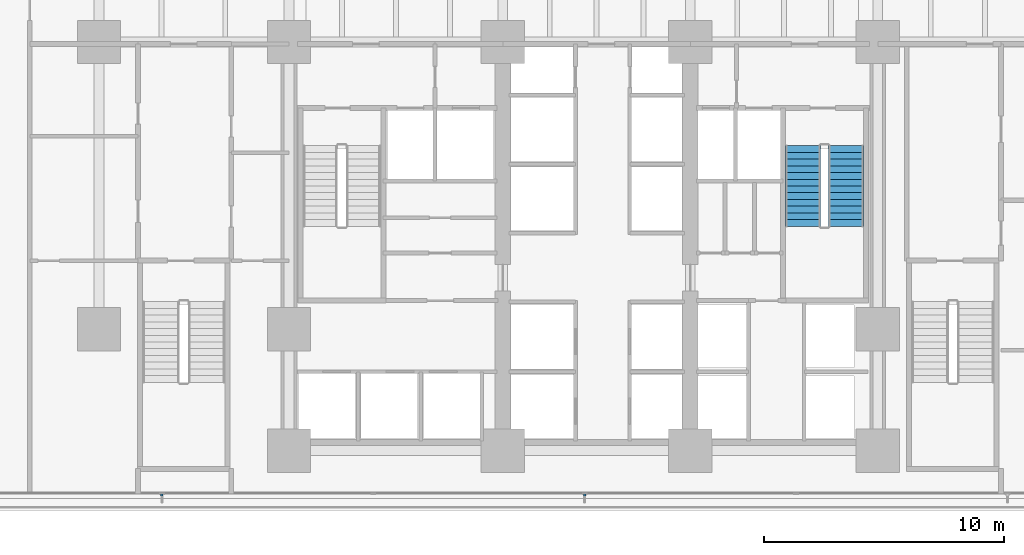
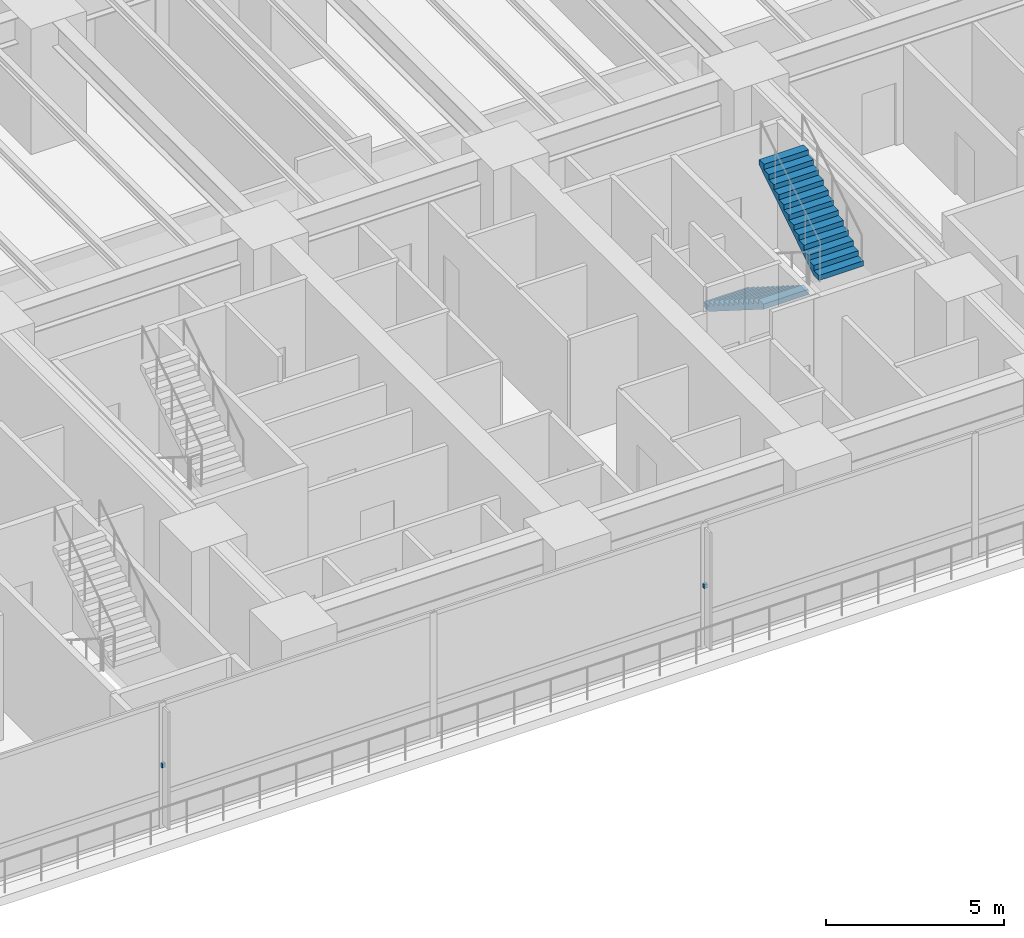
# One storey, part 14 of 26: 2 discrete accessories, 2 stair flights, 1 element without a shape of its own.
"""IFC4 building model written with IfcOpenShell, lengths in metres."""

from ifc_helpers import new_model, si_unit, direction, frame, origin, place, context, subcontext, project, spatial, polyline, outline, extrude, material, layer, layer_set, type_object, element, aggregate, save


model = new_model("IFC4")

# Units and contexts
model_context = context("Model", 3, precision=1e-05, world=origin(), true_north=direction((0.0, 1.0)))
body_context = subcontext(model_context, "Body", "Model", "MODEL_VIEW")
ifc_project = project(units=[si_unit("LENGTHUNIT", "METRE"), si_unit("AREAUNIT", "SQUARE_METRE"), si_unit("VOLUMEUNIT", "CUBIC_METRE"), si_unit("PLANEANGLEUNIT", "RADIAN"), si_unit("MASSUNIT", "GRAM", prefix="KILO")], contexts=[model_context])

# Site, building, storey
site_placement = place(None, origin())
site = spatial("IfcSite", under=ifc_project, at=site_placement, CompositionType="ELEMENT")
building_placement = place(site_placement, origin())
building = spatial("IfcBuilding", under=site, at=building_placement, Name="Qalmaran Belvedere Hotel", CompositionType="ELEMENT")
storey_placement = place(building_placement, frame((0.0, 0.0, 19.199951171875)))
storey = spatial("IfcBuildingStorey", under=building, at=storey_placement, Name="L04", CompositionType="ELEMENT", Elevation=19.199951171875)

# Stair, stair flights
ifc_material_1 = material(Name="Concrete C40/50", Category="concrete")
stair_type = type_object("IfcStairType", Name="STR-ST-2-1450-R1769", PredefinedType="HALF_TURN_STAIR", material=ifc_material_1)
stair_placement = place(storey_placement, origin())
stair = element("IfcStair", 1, at=stair_placement, inside=storey, type_object=stair_type, Name="L04 East Core Exit Stair ST-2", PredefinedType="HALF_TURN_STAIR")
ifc_layer = layer(ifc_material_1, 0.14990234375, Name="Concrete C40/50")
ifc_layer_set = layer_set([ifc_layer], Name="Concrete C40/50")
stair_flight_type = type_object("IfcStairFlightType", Name="STF-ST-2-1450-R1769", PredefinedType="STRAIGHT", material=ifc_layer_set)
stair_flight_1_placement = place(storey_placement, frame((41.68505859375, 16.18994140625, 0.0), z_axis=(0.0, 0.0, 1.0), x_axis=(0.0, -1.0, 0.0)))
stair_flight_1 = element("IfcStairFlight", 2, at=stair_flight_1_placement, type_object=stair_flight_type, Name="ST-2 flight 1", NumberOfRisers=13, NumberOfTreads=12, PredefinedType="STRAIGHT", RiserHeight=0.176923077, TreadLength=0.28, context=body_context, shape_type="SweptSolid", body=[
    extrude(outline(polyline([(0.0, 0.0), (0.0, 0.177001953125), (0.280029296875, 0.177001953125), (0.280029296875, 0.353759765625), (0.56005859375, 0.353759765625), (0.56005859375, 0.53076171875), (0.840087890625, 0.53076171875), (0.840087890625, 0.707763671875), (1.1201171875, 0.707763671875), (1.1201171875, 0.884521484375), (1.39990234375, 0.884521484375), (1.39990234375, 1.0615234375), (1.679931640625, 1.0615234375), (1.679931640625, 1.238525390625), (1.9599609375, 1.238525390625), (1.9599609375, 1.415283203125), (2.239990234375, 1.415283203125), (2.239990234375, 1.59228515625), (2.52001953125, 1.59228515625), (2.52001953125, 1.769287109375), (2.800048828125, 1.769287109375), (2.800048828125, 1.946044921875), (3.080078125, 1.946044921875), (3.080078125, 2.123046875), (3.360107421875, 2.123046875), (3.360107421875, 2.300048828125), (3.360107421875, 1.94580078125), (0.280517578125, 0.0), (0.0, 0.0)])), frame((0.0, 0.72509765625, 0.0), z_axis=(0.0, -1.0, 0.0), x_axis=(1.0, 0.0, 0.0)), (0.0, 0.0, 1.0), 1.449951171875),
])
stair_flight_2_placement = place(storey_placement, frame((43.47509765625, 12.830078125, 2.300048828125), z_axis=(0.0, 0.0, 1.0), x_axis=(0.0, 1.0, 0.0)))
stair_flight_2 = element("IfcStairFlight", 3, at=stair_flight_2_placement, type_object=stair_flight_type, Name="ST-2 flight 2", NumberOfRisers=13, NumberOfTreads=12, PredefinedType="STRAIGHT", RiserHeight=0.176923077, TreadLength=0.28, context=body_context, shape_type="SweptSolid", body=[
    extrude(outline(polyline([(0.0, 0.0), (0.0, 0.177001953125), (0.280029296875, 0.177001953125), (0.280029296875, 0.353759765625), (0.56005859375, 0.353759765625), (0.56005859375, 0.53076171875), (0.840087890625, 0.53076171875), (0.840087890625, 0.707763671875), (1.1201171875, 0.707763671875), (1.1201171875, 0.884521484375), (1.39990234375, 0.884521484375), (1.39990234375, 1.0615234375), (1.679931640625, 1.0615234375), (1.679931640625, 1.238525390625), (1.9599609375, 1.238525390625), (1.9599609375, 1.415283203125), (2.239990234375, 1.415283203125), (2.239990234375, 1.59228515625), (2.52001953125, 1.59228515625), (2.52001953125, 1.769287109375), (2.800048828125, 1.769287109375), (2.800048828125, 1.946044921875), (3.080078125, 1.946044921875), (3.080078125, 2.123046875), (3.360107421875, 2.123046875), (3.360107421875, 2.300048828125), (3.360107421875, 1.94580078125), (0.280517578125, 0.0), (0.0, 0.0)])), frame((0.0, 0.72509765625, 0.0), z_axis=(0.0, -1.0, 0.0), x_axis=(1.0, 0.0, 0.0)), (0.0, 0.0, 1.0), 1.449951171875),
])
aggregate(stair, [stair_flight_1, stair_flight_2])

# Discrete accessories
ifc_material_2 = material(Name="Stainless Steel 1.4401", Category="steel")
discrete_accessory_type = type_object("IfcDiscreteAccessoryType", Name="BRK-FIN-SS316", PredefinedType="BRACKET", material=ifc_material_2)
discrete_accessory_1_placement = place(storey_placement, frame((0.0, 0.0, 2.10009765625)))
element("IfcDiscreteAccessory", 4, at=discrete_accessory_1_placement, inside=storey, type_object=discrete_accessory_type, Name="L04 Fin Bracket 1", PredefinedType="BRACKET", context=body_context, shape_type="SweptSolid", body=[
    extrude(outline(polyline([(14.959228515625, 1.705078125), (14.959228515625, 1.607421875), (15.0693359375, 1.607421875), (15.0693359375, 1.705078125), (14.959228515625, 1.705078125)])), origin(), (0.0, 0.0, 1.0), 0.139892578125),
])
discrete_accessory_2_placement = place(storey_placement, frame((0.0, 0.0, 2.10009765625)))
element("IfcDiscreteAccessory", 5, at=discrete_accessory_2_placement, inside=storey, type_object=discrete_accessory_type, Name="L04 Fin Bracket 3", PredefinedType="BRACKET", context=body_context, shape_type="SweptSolid", body=[
    extrude(outline(polyline([(32.5478515625, 1.705078125), (32.5478515625, 1.607421875), (32.657958984375, 1.607421875), (32.657958984375, 1.705078125), (32.5478515625, 1.705078125)])), origin(), (0.0, 0.0, 1.0), 0.139892578125),
])

save(model, "model.ifc")
